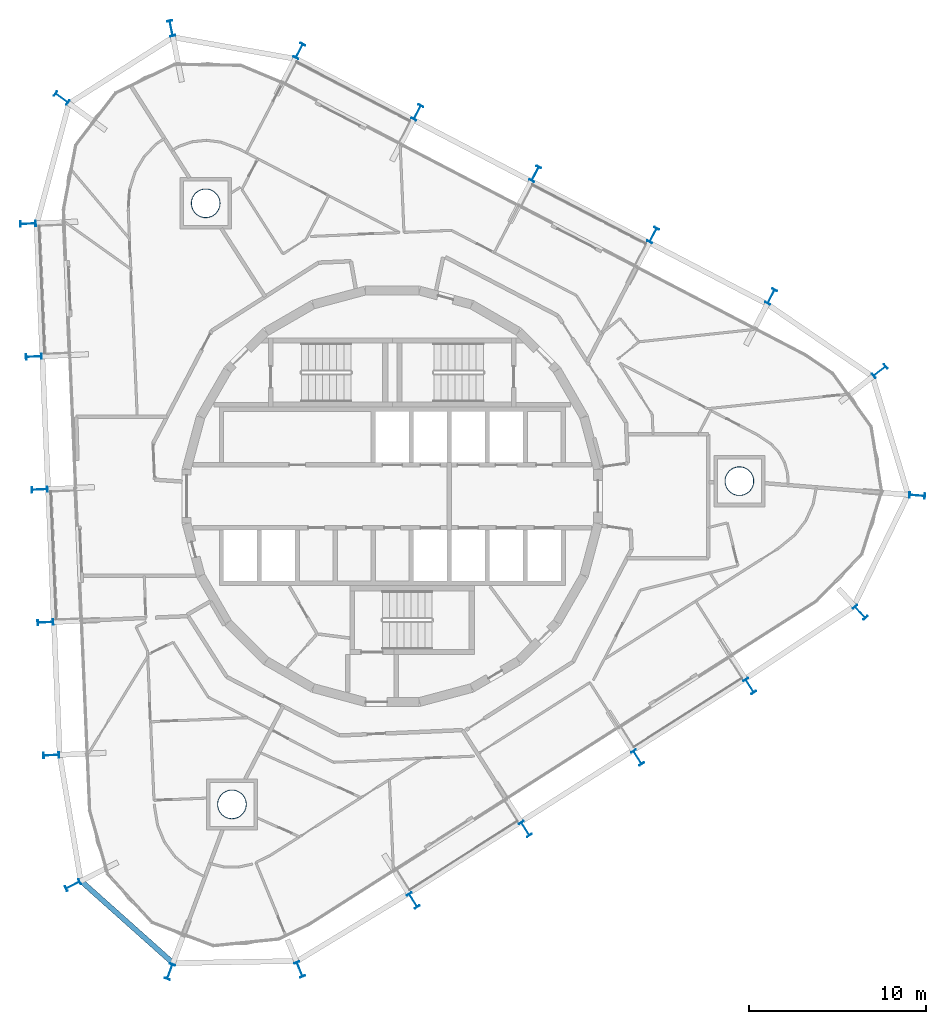
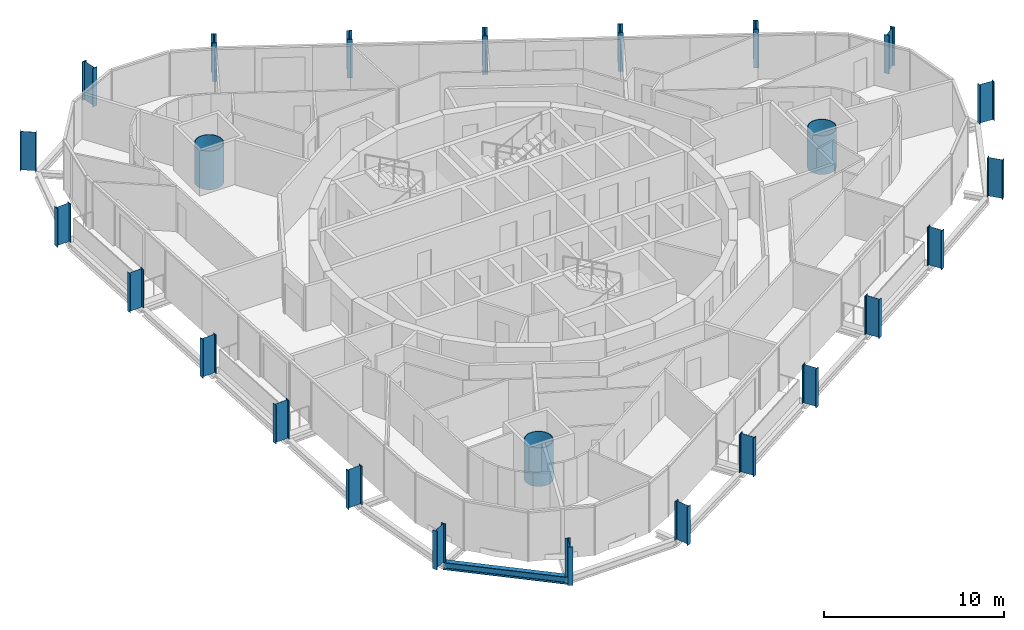
# One storey, part 1 of 18: 25 columns, 1 beam.
"""IFC4 building model written with IfcOpenShell, lengths in metres."""

from ifc_helpers import new_model, si_unit, direction, frame, origin, origin_2d, place, context, subcontext, project, spatial, hollow_circle, i_section, extrude, material, material_profile, profile_set, type_object, element, save


model = new_model("IFC4")

# Units and contexts
model_context = context("Model", 3, precision=1e-05, world=origin(), true_north=direction((0.0, 1.0)))
body_context = subcontext(model_context, "Body", "Model", "MODEL_VIEW")
ifc_project = project(units=[si_unit("LENGTHUNIT", "METRE"), si_unit("AREAUNIT", "SQUARE_METRE"), si_unit("VOLUMEUNIT", "CUBIC_METRE"), si_unit("PLANEANGLEUNIT", "RADIAN"), si_unit("MASSUNIT", "GRAM", prefix="KILO")], contexts=[model_context])

# Site, building, storey
site_placement = place(None, origin())
site = spatial("IfcSite", under=ifc_project, at=site_placement, CompositionType="ELEMENT")
building_placement = place(site_placement, origin())
building = spatial("IfcBuilding", under=site, at=building_placement, Name="Spindle Arch Residences", CompositionType="ELEMENT")
storey_placement = place(building_placement, frame((0.0, 0.0, 254.699951171875)))
storey = spatial("IfcBuildingStorey", under=building, at=storey_placement, Name="L65", CompositionType="ELEMENT", Elevation=254.699951171875)

# Columns
ifc_material_1 = material(Name="Steel S460ML, intumescent coating R 240", Category="steel")
ifc_material_profile_1 = material_profile(ifc_material_1, i_section(OverallWidth=0.300048828125, OverallDepth=0.89990234375, WebThickness=0.0185546875, FlangeThickness=0.034912109375, FilletRadius=0.030029296875, at=origin_2d()), Name="HEB 900")
ifc_profile_set_1 = profile_set([ifc_material_profile_1], Name="Steel S460ML, intumescent coating R 240")
column_type_1 = type_object("IfcColumnType", Name="Exoskeleton post HEB 900", PredefinedType="COLUMN", material=ifc_profile_set_1)
for number, where, z_axis, x_axis, name in (
    (1, (13.885986328125, -14.78955078125, -0.3798828125), (0.0, 0.0, 1.0), (-0.843391139633, -0.537300088953, 0.0), "Exoskeleton post 1"),
    (2, (20.23681640625, -10.74365234375, -0.3798828125), (0.0, 0.0, 1.0), (-0.843391139633, -0.537300088953, 0.0), "Exoskeleton post 2"),
    (3, (26.49462890625, -6.569091796875, -0.3798828125), (0.0, 0.0, 1.0), (-0.735346889002, -0.677690897707, 0.0), "Exoskeleton post 3"),
    (4, (29.71728515625, 0.04443359375, -0.3798828125), (0.0, 0.0, 1.0), (-0.080537962999, -0.996751542018, 0.0), "Exoskeleton post 4"),
    (5, (27.598388671875, 7.089599609375, -0.3798828125), (0.0, 0.0, 1.0), (0.617001797175, -0.786961741308, 0.0), "Exoskeleton post 5"),
    (6, (21.449951171875, 11.3076171875, -0.3798828125), (0.0, 0.0, 1.0), (0.887010710334, -0.461748849216, 0.0), "Exoskeleton post 6"),
    (7, (14.770751953125, 14.784423828125, -0.3798828125), (0.0, 0.0, 1.0), (0.887010710334, -0.461748849216, 0.0), "Exoskeleton post 7"),
    (8, (8.09130859375, 18.261474609375, -0.3798828125), (0.0, 0.0, 1.0), (0.887010710334, -0.461748849216, 0.0), "Exoskeleton post 8"),
    (9, (1.412109375, 21.738525390625, -0.3798828125), (0.0, 0.0, 1.0), (0.887010710334, -0.461748849216, 0.0), "Exoskeleton post 9"),
    (10, (-5.26708984375, 25.215576171875, -0.3798828125), (0.0, 0.0, 1.0), (0.887010710334, -0.461748849216, 0.0), "Exoskeleton post 10"),
    (11, (-12.51953125, 26.498046875, -0.3798828125), (0.0, 0.0, 1.0), (0.981152901053, 0.193232980505, 0.0), "Exoskeleton post 11"),
    (12, (-18.724365234375, 22.545166015625, -0.3798828125), (0.0, 0.0, 1.0), (0.589781110017, 0.807563150637, 0.0), "Exoskeleton post 12"),
    (13, (-20.626953125, 15.43017578125, -0.3798828125), (0.0, 0.0, 1.0), (-0.043619010384, 0.999048238041, 0.0), "Exoskeleton post 13"),
    (14, (-20.298583984375, 7.9072265625, -0.3798828125), (0.0, 0.0, 1.0), (-0.043619010384, 0.999048238041, 0.0), "Exoskeleton post 14"),
    (15, (-19.97021484375, 0.38427734375, -0.3798828125), (0.0, 0.0, 1.0), (-0.043619010384, 0.999048238041, 0.0), "Exoskeleton post 15"),
    (16, (-19.6416015625, -7.138671875, -0.3798828125), (0.0, 0.0, 1.0), (-0.043619010384, 0.999048238041, 0.0), "Exoskeleton post 16"),
    (17, (-19.313232421875, -14.66162109375, -0.3798828125), (0.0, 0.0, 1.0), (-0.043619010384, 0.999048238041, 0.0), "Exoskeleton post 17"),
    (18, (-18.089111328125, -22.016357421875, -0.3798828125), (0.0, 0.0, 1.0), (-0.452473836659, 0.89177767809, 0.0), "Exoskeleton post 18"),
    (19, (-12.599365234375, -26.9140625, -0.3798828125), (0.0, 0.0, 1.0), (-0.937400631219, 0.348252863002, 0.0), "Exoskeleton post 19"),
    (20, (-5.243408203125, -26.78857421875, -0.3798828125), (0.0, 0.0, 1.0), (-0.924967647063, -0.380045854978, 0.0), "Exoskeleton post 20"),
    (21, (1.1845703125, -22.88134765625, -0.3798828125), (0.0, 0.0, 1.0), (-0.843391139633, -0.537300088953, 0.0), "Exoskeleton post 21"),
    (22, (7.535400390625, -18.83544921875, -0.3798828125), (0.0, 0.0, 1.0), (-0.843391139633, -0.537300088953, 0.0), "Exoskeleton post 22"),
):
    element("IfcColumn", number, at=place(storey_placement, frame(where, z_axis=z_axis, x_axis=x_axis)), inside=storey, type_object=column_type_1, Name=name, PredefinedType="COLUMN", context=body_context, shape_type="SweptSolid", body=[
        extrude(i_section(OverallWidth=0.300048828125, OverallDepth=0.89990234375, WebThickness=0.0185546875, FlangeThickness=0.034912109375, FilletRadius=0.030029296875, at=origin_2d()), origin(), (0.0, 0.0, 1.0), 2.615966796875),
    ])
ifc_material_2 = material(Name="Concrete C50/60 filled steel tube S460ML, intumescent coating R 240", Category="concrete")
ifc_material_profile_2 = material_profile(ifc_material_2, hollow_circle(Radius=0.824951171875, WallThickness=0.0400390625, at=origin_2d()), Name="CFT D1650x40")
ifc_profile_set_2 = profile_set([ifc_material_profile_2], Name="Concrete C50/60 filled steel tube S460ML, intumescent coating R 240")
column_type_2 = type_object("IfcColumnType", Name="Mega-column CFT D1650x40", PredefinedType="COLUMN", material=ifc_profile_set_2)
for number, where, z_axis, x_axis, name in (
    (23, (19.64990234375, 0.85791015625, -0.3798828125), (0.0, 0.0, 1.0), (1.0, 0.0, 0.0), "Mega-column 1"),
    (24, (-10.568115234375, 16.58837890625, -0.3798828125), (0.0, 0.0, 1.0), (1.0, 0.0, 0.0), "Mega-column 2"),
    (25, (-9.08203125, -17.4462890625, -0.3798828125), (0.0, 0.0, 1.0), (1.0, 0.0, 0.0), "Mega-column 3"),
):
    element("IfcColumn", number, at=place(storey_placement, frame(where, z_axis=z_axis, x_axis=x_axis)), inside=storey, type_object=column_type_2, Name=name, PredefinedType="COLUMN", context=body_context, shape_type="SweptSolid", body=[
        extrude(hollow_circle(Radius=0.824951171875, WallThickness=0.0400390625, at=origin_2d()), origin(), (0.0, 0.0, 1.0), 2.615966796875),
    ])

# Beam
ifc_material_3 = material(Name="Steel S460ML, intumescent coating R 120", Category="steel")
ifc_material_profile_3 = material_profile(ifc_material_3, i_section(OverallWidth=0.300048828125, OverallDepth=0.5, WebThickness=0.014404296875, FlangeThickness=0.028076171875, FilletRadius=0.027099609375, at=origin_2d()), Name="HEB 500")
ifc_profile_set_3 = profile_set([ifc_material_profile_3], Name="Steel S460ML, intumescent coating R 120")
beam_type = type_object("IfcBeamType", Name="Exoskeleton edge beam HEB 500", PredefinedType="BEAM", material=ifc_profile_set_3)
beam_placement = place(storey_placement, frame((-17.67236328125, -21.74462890625, -0.6298828125), z_axis=(0.746176267139, -0.66574843474, 0.0), x_axis=(0.66574843474, 0.746176267139, 0.0)))
element("IfcBeam", 26, at=beam_placement, inside=storey, type_object=beam_type, Name="Exoskeleton edge beam 18", PredefinedType="BEAM", context=body_context, shape_type="SweptSolid", body=[
    extrude(i_section(OverallWidth=0.300048828125, OverallDepth=0.5, WebThickness=0.014404296875, FlangeThickness=0.028076171875, FilletRadius=0.027099609375, at=origin_2d()), origin(), (0.0, 0.0, 1.0), 7.09716796875),
])

save(model, "model.ifc")
